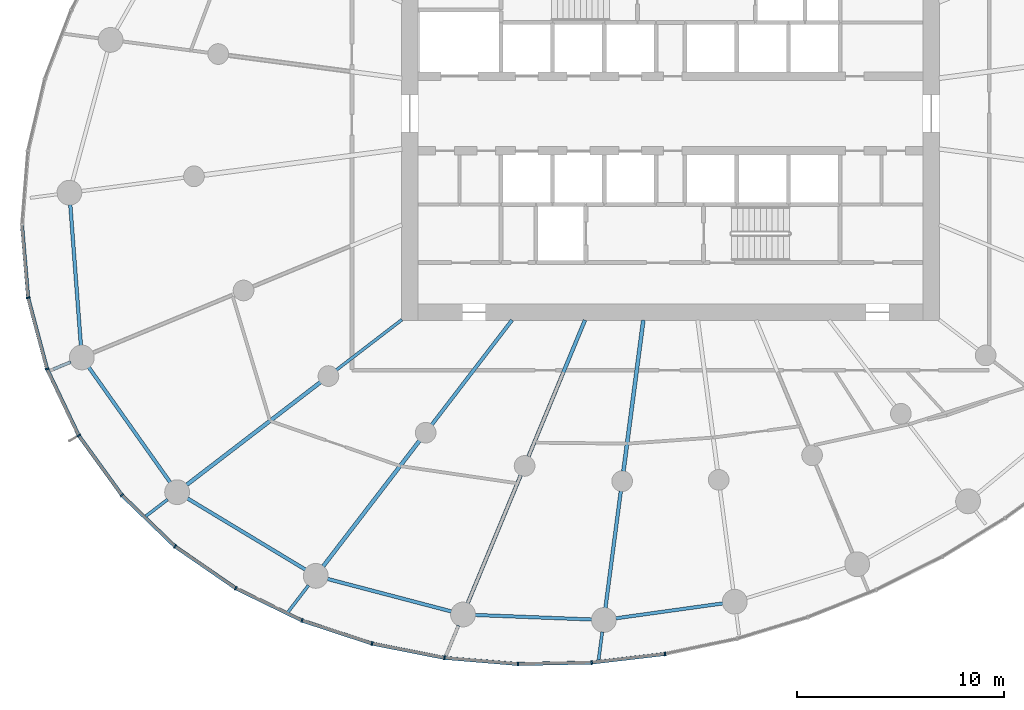
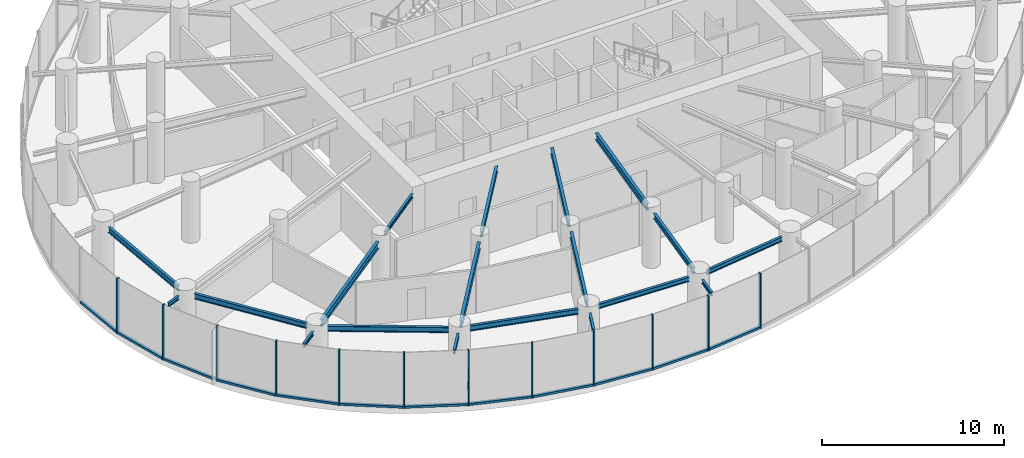
# One storey, part 2 of 17: 24 members, 19 beams, 3 elements without a shape of their own.
"""IFC4 building model written with IfcOpenShell, lengths in metres."""

from ifc_helpers import new_model, si_unit, direction, frame, origin, origin_2d, place, context, subcontext, project, spatial, rectangle, i_section, extrude, source, transform, mapped, material, layer, layer_set, material_profile, profile_set, type_object, element, aggregate, save


model = new_model("IFC4")

# Units and contexts
model_context = context("Model", 3, precision=1e-05, world=origin(), true_north=direction((0.0, 1.0)))
body_context = subcontext(model_context, "Body", "Model", "MODEL_VIEW")
ifc_project = project(units=[si_unit("LENGTHUNIT", "METRE"), si_unit("AREAUNIT", "SQUARE_METRE"), si_unit("VOLUMEUNIT", "CUBIC_METRE"), si_unit("PLANEANGLEUNIT", "RADIAN"), si_unit("MASSUNIT", "GRAM", prefix="KILO")], contexts=[model_context])

# Site, building, storey
site_placement = place(None, origin())
site = spatial("IfcSite", under=ifc_project, at=site_placement, CompositionType="ELEMENT")
building_placement = place(site_placement, origin())
building = spatial("IfcBuilding", under=site, at=building_placement, Name="Spindrift Exchange Tower", CompositionType="ELEMENT")
storey_placement = place(building_placement, frame((0.0, 0.0, 96.199951171875)))
storey = spatial("IfcBuildingStorey", under=building, at=storey_placement, Name="L22", CompositionType="ELEMENT", Elevation=96.199951171875)

# Beams
ifc_material_1 = material(Name="Steel Grade 300", Category="steel")
ifc_material_profile_1 = material_profile(ifc_material_1, i_section(OverallWidth=0.14599609375, OverallDepth=0.251953125, WebThickness=0.006103515625, FlangeThickness=0.008544921875, FilletRadius=0.011962890625, at=origin_2d()), Name="250UB31.4")
ifc_profile_set_1 = profile_set([ifc_material_profile_1], Name="Steel Grade 300")
beam_type_1 = type_object("IfcBeamType", Name="Floor Beam 250UB31.4 Steel Grade 300", PredefinedType="BEAM", material=ifc_profile_set_1)
shared_shape_1 = source(origin(), body_context, "Body", "SweptSolid", [
    extrude(i_section(OverallWidth=0.14599609375, OverallDepth=0.251953125, WebThickness=0.006103515625, FlangeThickness=0.008544921875, FilletRadius=0.011962890625, at=origin_2d()), origin(), (0.0, 0.0, 1.0), 3.99560546875),
])
beam_1_placement = place(storey_placement, frame((39.015869140625, 38.036865234375, 3.573974609375), z_axis=(-0.793352561574, -0.608762443851, 0.0), x_axis=(0.608762443851, -0.793352561574, 0.0)))
element("IfcBeam", 1, at=beam_1_placement, inside=storey, type_object=beam_type_1, Name="L22 radial beam R15A", PredefinedType="BEAM", context=body_context, shape_type="MappedRepresentation", body=[
    mapped(shared_shape_1, transform((0.0, 0.0, 0.0), scale=1.0)),
])
ifc_material_profile_2 = material_profile(ifc_material_1, i_section(OverallWidth=0.172119140625, OverallDepth=0.35888671875, WebThickness=0.008056640625, FlangeThickness=0.012939453125, FilletRadius=0.013916015625, at=origin_2d()), Name="360UB56.7")
ifc_profile_set_2 = profile_set([ifc_material_profile_2], Name="Steel Grade 300")
beam_type_2 = type_object("IfcBeamType", Name="Floor Beam 360UB56.7 Steel Grade 300", PredefinedType="BEAM", material=ifc_profile_set_2)
shared_shape_2 = source(origin(), body_context, "Body", "SweptSolid", [
    extrude(i_section(OverallWidth=0.172119140625, OverallDepth=0.35888671875, WebThickness=0.008056640625, FlangeThickness=0.012939453125, FilletRadius=0.013916015625, at=origin_2d()), origin(), (0.0, 0.0, 1.0), 6.37646484375),
])
beam_2_placement = place(storey_placement, frame((44.3388671875, 38.015869140625, 3.5205078125), z_axis=(-0.608766669952, -0.793349318747, 0.0), x_axis=(0.793349318747, -0.608766669952, 0.0)))
element("IfcBeam", 2, at=beam_2_placement, inside=storey, type_object=beam_type_2, Name="L22 radial beam R16A", PredefinedType="BEAM", context=body_context, shape_type="MappedRepresentation", body=[
    mapped(shared_shape_2, transform((0.0, 0.0, 0.0), scale=1.0)),
])
ifc_material_profile_3 = material_profile(ifc_material_1, i_section(OverallWidth=0.177978515625, OverallDepth=0.406005859375, WebThickness=0.0078125, FlangeThickness=0.0126953125, FilletRadius=0.013916015625, at=origin_2d()), Name="410UB59.7")
ifc_profile_set_3 = profile_set([ifc_material_profile_3], Name="Steel Grade 300")
beam_type_3 = type_object("IfcBeamType", Name="Floor Beam 410UB59.7 Steel Grade 300", PredefinedType="BEAM", material=ifc_profile_set_3)
shared_shape_3 = source(origin(), body_context, "Body", "SweptSolid", [
    extrude(i_section(OverallWidth=0.177978515625, OverallDepth=0.406005859375, WebThickness=0.0078125, FlangeThickness=0.0126953125, FilletRadius=0.013916015625, at=origin_2d()), origin(), (0.0, 0.0, 1.0), 7.150634765625),
])
beam_3_placement = place(storey_placement, frame((47.865478515625, 38.0185546875, 3.4970703125), z_axis=(-0.382665393358, -0.923887004306, 0.0), x_axis=(0.923887004306, -0.382665393358, 0.0)))
element("IfcBeam", 3, at=beam_3_placement, inside=storey, type_object=beam_type_3, Name="L22 radial beam R17A", PredefinedType="BEAM", context=body_context, shape_type="MappedRepresentation", body=[
    mapped(shared_shape_3, transform((0.0, 0.0, 0.0), scale=1.0)),
])
ifc_material_profile_4 = material_profile(ifc_material_1, i_section(OverallWidth=0.18994140625, OverallDepth=0.45703125, WebThickness=0.009033203125, FlangeThickness=0.014404296875, FilletRadius=0.013916015625, at=origin_2d()), Name="460UB74.6")
ifc_profile_set_4 = profile_set([ifc_material_profile_4], Name="Steel Grade 300")
beam_type_4 = type_object("IfcBeamType", Name="Floor Beam 460UB74.6 Steel Grade 300", PredefinedType="BEAM", material=ifc_profile_set_4)
shared_shape_4 = source(origin(), body_context, "Body", "SweptSolid", [
    extrude(i_section(OverallWidth=0.18994140625, OverallDepth=0.45703125, WebThickness=0.009033203125, FlangeThickness=0.014404296875, FilletRadius=0.013916015625, at=origin_2d()), origin(), (0.0, 0.0, 1.0), 7.374267578125),
])
beam_4_placement = place(storey_placement, frame((50.68603515625, 38.019775390625, 3.471435546875), z_axis=(-0.130539295622, -0.99144313619, 0.0), x_axis=(0.99144313619, -0.130539295622, 0.0)))
element("IfcBeam", 4, at=beam_4_placement, inside=storey, type_object=beam_type_4, Name="L22 radial beam R18A", PredefinedType="BEAM", context=body_context, shape_type="MappedRepresentation", body=[
    mapped(shared_shape_4, transform((0.0, 0.0, 0.0), scale=1.0)),
])
shared_shape_5 = source(origin(), body_context, "Body", "SweptSolid", [
    extrude(i_section(OverallWidth=0.18994140625, OverallDepth=0.45703125, WebThickness=0.009033203125, FlangeThickness=0.014404296875, FilletRadius=0.013916015625, at=origin_2d()), origin(), (0.0, 0.0, 1.0), 8.158447265625),
])
beam_5_placement = place(storey_placement, frame((35.08447265625, 35.020263671875, 3.471435546875), z_axis=(-0.793358732539, -0.608754401631, 0.0), x_axis=(0.608754401631, -0.793358732539, 0.0)))
element("IfcBeam", 5, at=beam_5_placement, inside=storey, type_object=beam_type_4, Name="L22 radial beam R15B", PredefinedType="BEAM", context=body_context, shape_type="MappedRepresentation", body=[
    mapped(shared_shape_5, transform((0.0, 0.0, 0.0), scale=1.0)),
])
shared_shape_6 = source(origin(), body_context, "Body", "SweptSolid", [
    extrude(i_section(OverallWidth=0.18994140625, OverallDepth=0.45703125, WebThickness=0.009033203125, FlangeThickness=0.014404296875, FilletRadius=0.013916015625, at=origin_2d()), origin(), (0.0, 0.0, 1.0), 7.663818359375),
])
beam_6_placement = place(storey_placement, frame((39.872802734375, 32.1953125, 3.471435546875), z_axis=(-0.608771227503, -0.793345821546, 0.0), x_axis=(0.793345821546, -0.608771227503, 0.0)))
element("IfcBeam", 6, at=beam_6_placement, inside=storey, type_object=beam_type_4, Name="L22 radial beam R16B", PredefinedType="BEAM", context=body_context, shape_type="MappedRepresentation", body=[
    mapped(shared_shape_6, transform((0.0, 0.0, 0.0), scale=1.0)),
])
shared_shape_7 = source(origin(), body_context, "Body", "SweptSolid", [
    extrude(i_section(OverallWidth=0.177978515625, OverallDepth=0.406005859375, WebThickness=0.0078125, FlangeThickness=0.0126953125, FilletRadius=0.013916015625, at=origin_2d()), origin(), (0.0, 0.0, 1.0), 6.71240234375),
])
beam_7_placement = place(storey_placement, frame((44.76171875, 30.525146484375, 3.4970703125), z_axis=(-0.382669812754, -0.923885173821, 0.0), x_axis=(0.923885173821, -0.382669812754, 0.0)))
element("IfcBeam", 7, at=beam_7_placement, inside=storey, type_object=beam_type_3, Name="L22 radial beam R17B", PredefinedType="BEAM", context=body_context, shape_type="MappedRepresentation", body=[
    mapped(shared_shape_7, transform((0.0, 0.0, 0.0), scale=1.0)),
])
shared_shape_8 = source(origin(), body_context, "Body", "SweptSolid", [
    extrude(i_section(OverallWidth=0.172119140625, OverallDepth=0.35888671875, WebThickness=0.008056640625, FlangeThickness=0.012939453125, FilletRadius=0.013916015625, at=origin_2d()), origin(), (0.0, 0.0, 1.0), 5.70751953125),
])
beam_8_placement = place(storey_placement, frame((49.59814453125, 29.7568359375, 3.5205078125), z_axis=(-0.130507624881, -0.991447305634, 0.0), x_axis=(0.991447305634, -0.130507624881, 0.0)))
element("IfcBeam", 8, at=beam_8_placement, inside=storey, type_object=beam_type_2, Name="L22 radial beam R18B", PredefinedType="BEAM", context=body_context, shape_type="MappedRepresentation", body=[
    mapped(shared_shape_8, transform((0.0, 0.0, 0.0), scale=1.0)),
])
ifc_material_profile_5 = material_profile(ifc_material_1, i_section(OverallWidth=0.172119140625, OverallDepth=0.35888671875, WebThickness=0.008056640625, FlangeThickness=0.012939453125, FilletRadius=0.013916015625, at=origin_2d()), Name="360UB56.7")
ifc_profile_set_5 = profile_set([ifc_material_profile_5], Name="Steel Grade 300")
beam_type_5 = type_object("IfcBeamType", Name="Edge Beam 360UB56.7 Steel Grade 300", PredefinedType="SPANDREL", material=ifc_profile_set_5)
shared_shape_9 = source(origin(), body_context, "Body", "SweptSolid", [
    extrude(i_section(OverallWidth=0.172119140625, OverallDepth=0.35888671875, WebThickness=0.008056640625, FlangeThickness=0.012939453125, FilletRadius=0.013916015625, at=origin_2d()), origin(), (0.0, 0.0, 1.0), 6.82373046875),
])
beam_9_placement = place(storey_placement, frame((22.9873046875, 43.59619140625, 3.5205078125), z_axis=(0.075276463877, -0.997162701863, 0.0), x_axis=(0.997162701863, 0.075276463877, 0.0)))
element("IfcBeam", 9, at=beam_9_placement, inside=storey, type_object=beam_type_5, Name="L22 edge beam E13", PredefinedType="SPANDREL", context=body_context, shape_type="MappedRepresentation", body=[
    mapped(shared_shape_9, transform((0.0, 0.0, 0.0), scale=1.0)),
])
shared_shape_10 = source(origin(), body_context, "Body", "SweptSolid", [
    extrude(i_section(OverallWidth=0.172119140625, OverallDepth=0.35888671875, WebThickness=0.008056640625, FlangeThickness=0.012939453125, FilletRadius=0.013916015625, at=origin_2d()), origin(), (0.0, 0.0, 1.0), 6.81787109375),
])
beam_10_placement = place(storey_placement, frame((23.87939453125, 35.739990234375, 3.5205078125), z_axis=(0.577526426198, -0.816371990604, 0.0), x_axis=(0.816371990604, 0.577526426198, 0.0)))
element("IfcBeam", 10, at=beam_10_placement, inside=storey, type_object=beam_type_5, Name="L22 edge beam E14", PredefinedType="SPANDREL", context=body_context, shape_type="MappedRepresentation", body=[
    mapped(shared_shape_10, transform((0.0, 0.0, 0.0), scale=1.0)),
])
shared_shape_11 = source(origin(), body_context, "Body", "SweptSolid", [
    extrude(i_section(OverallWidth=0.172119140625, OverallDepth=0.35888671875, WebThickness=0.008056640625, FlangeThickness=0.012939453125, FilletRadius=0.013916015625, at=origin_2d()), origin(), (0.0, 0.0, 1.0), 6.668701171875),
])
beam_11_placement = place(storey_placement, frame((28.6484375, 29.40087890625, 3.5205078125), z_axis=(0.856133207479, -0.516755194508, 0.0), x_axis=(0.516755194508, 0.856133207479, 0.0)))
element("IfcBeam", 11, at=beam_11_placement, inside=storey, type_object=beam_type_5, Name="L22 edge beam E15", PredefinedType="SPANDREL", context=body_context, shape_type="MappedRepresentation", body=[
    mapped(shared_shape_11, transform((0.0, 0.0, 0.0), scale=1.0)),
])
shared_shape_12 = source(origin(), body_context, "Body", "SweptSolid", [
    extrude(i_section(OverallWidth=0.172119140625, OverallDepth=0.35888671875, WebThickness=0.008056640625, FlangeThickness=0.012939453125, FilletRadius=0.013916015625, at=origin_2d()), origin(), (0.0, 0.0, 1.0), 6.197509765625),
])
beam_12_placement = place(storey_placement, frame((35.415283203125, 25.508056640625, 3.5205078125), z_axis=(0.967254420813, -0.253808757567, 0.0), x_axis=(0.253808757567, 0.967254420813, 0.0)))
element("IfcBeam", 12, at=beam_12_placement, inside=storey, type_object=beam_type_5, Name="L22 edge beam E16", PredefinedType="SPANDREL", context=body_context, shape_type="MappedRepresentation", body=[
    mapped(shared_shape_12, transform((0.0, 0.0, 0.0), scale=1.0)),
])
ifc_material_profile_6 = material_profile(ifc_material_1, i_section(OverallWidth=0.1650390625, OverallDepth=0.303955078125, WebThickness=0.006103515625, FlangeThickness=0.01025390625, FilletRadius=0.011474609375, at=origin_2d()), Name="310UB40.4")
ifc_profile_set_6 = profile_set([ifc_material_profile_6], Name="Steel Grade 300")
beam_type_6 = type_object("IfcBeamType", Name="Edge Beam 310UB40.4 Steel Grade 300", PredefinedType="SPANDREL", material=ifc_profile_set_6)
shared_shape_13 = source(origin(), body_context, "Body", "SweptSolid", [
    extrude(i_section(OverallWidth=0.1650390625, OverallDepth=0.303955078125, WebThickness=0.006103515625, FlangeThickness=0.01025390625, FilletRadius=0.011474609375, at=origin_2d()), origin(), (0.0, 0.0, 1.0), 5.65185546875),
])
beam_13_placement = place(storey_placement, frame((42.550537109375, 23.765380859375, 3.548095703125), z_axis=(0.99924397539, -0.038877726865, 0.0), x_axis=(0.038877726865, 0.99924397539, 0.0)))
element("IfcBeam", 13, at=beam_13_placement, inside=storey, type_object=beam_type_6, Name="L22 edge beam E17", PredefinedType="SPANDREL", context=body_context, shape_type="MappedRepresentation", body=[
    mapped(shared_shape_13, transform((0.0, 0.0, 0.0), scale=1.0)),
])
shared_shape_14 = source(origin(), body_context, "Body", "SweptSolid", [
    extrude(i_section(OverallWidth=0.1650390625, OverallDepth=0.303955078125, WebThickness=0.006103515625, FlangeThickness=0.01025390625, FilletRadius=0.011474609375, at=origin_2d()), origin(), (0.0, 0.0, 1.0), 5.22998046875),
])
beam_14_placement = place(storey_placement, frame((49.35205078125, 23.603271484375, 3.548095703125), z_axis=(0.990440078597, 0.137943650481, 0.0), x_axis=(-0.137943650481, 0.990440078597, 0.0)))
element("IfcBeam", 14, at=beam_14_placement, inside=storey, type_object=beam_type_6, Name="L22 edge beam E18", PredefinedType="SPANDREL", context=body_context, shape_type="MappedRepresentation", body=[
    mapped(shared_shape_14, transform((0.0, 0.0, 0.0), scale=1.0)),
])
ifc_material_profile_7 = material_profile(ifc_material_1, i_section(OverallWidth=0.14599609375, OverallDepth=0.251953125, WebThickness=0.006103515625, FlangeThickness=0.008544921875, FilletRadius=0.011962890625, at=origin_2d()), Name="250UB31.4")
ifc_profile_set_7 = profile_set([ifc_material_profile_7], Name="Steel Grade 300")
beam_type_7 = type_object("IfcBeamType", Name="Cantilever Beam 250UB31.4 Steel Grade 300", PredefinedType="BEAM", material=ifc_profile_set_7)
shared_shape_15 = source(origin(), body_context, "Body", "SweptSolid", [
    extrude(i_section(OverallWidth=0.14599609375, OverallDepth=0.251953125, WebThickness=0.006103515625, FlangeThickness=0.008544921875, FilletRadius=0.011962890625, at=origin_2d()), origin(), (0.0, 0.0, 1.0), 0.9267578125),
])
beam_15_placement = place(storey_placement, frame((23.0087890625, 35.991455078125, 3.573974609375), z_axis=(-0.923846648553, -0.382762811619, 0.0), x_axis=(0.382762811619, -0.923846648553, 0.0)))
element("IfcBeam", 15, at=beam_15_placement, inside=storey, type_object=beam_type_7, Name="L22 cantilever beam R14T", PredefinedType="BEAM", context=body_context, shape_type="MappedRepresentation", body=[
    mapped(shared_shape_15, transform((0.0, 0.0, 0.0), scale=1.0)),
])
shared_shape_16 = source(origin(), body_context, "Body", "SweptSolid", [
    extrude(i_section(OverallWidth=0.14599609375, OverallDepth=0.251953125, WebThickness=0.006103515625, FlangeThickness=0.008544921875, FilletRadius=0.011962890625, at=origin_2d()), origin(), (0.0, 0.0, 1.0), 1.33740234375),
])
beam_16_placement = place(storey_placement, frame((27.691650390625, 29.347412109375, 3.573974609375), z_axis=(-0.793424144756, -0.608669143722, 0.0), x_axis=(0.608669143722, -0.793424144756, 0.0)))
element("IfcBeam", 16, at=beam_16_placement, inside=storey, type_object=beam_type_7, Name="L22 cantilever beam R15T", PredefinedType="BEAM", context=body_context, shape_type="MappedRepresentation", body=[
    mapped(shared_shape_16, transform((0.0, 0.0, 0.0), scale=1.0)),
])
shared_shape_17 = source(origin(), body_context, "Body", "SweptSolid", [
    extrude(i_section(OverallWidth=0.14599609375, OverallDepth=0.251953125, WebThickness=0.006103515625, FlangeThickness=0.008544921875, FilletRadius=0.011962890625, at=origin_2d()), origin(), (0.0, 0.0, 1.0), 1.67724609375),
])
beam_17_placement = place(storey_placement, frame((34.501220703125, 25.195068359375, 3.573974609375), z_axis=(-0.608767651561, -0.79334856552, 0.0), x_axis=(0.79334856552, -0.608767651561, 0.0)))
element("IfcBeam", 17, at=beam_17_placement, inside=storey, type_object=beam_type_7, Name="L22 cantilever beam R16T", PredefinedType="BEAM", context=body_context, shape_type="MappedRepresentation", body=[
    mapped(shared_shape_17, transform((0.0, 0.0, 0.0), scale=1.0)),
])
shared_shape_18 = source(origin(), body_context, "Body", "SweptSolid", [
    extrude(i_section(OverallWidth=0.14599609375, OverallDepth=0.251953125, WebThickness=0.006103515625, FlangeThickness=0.008544921875, FilletRadius=0.011962890625, at=origin_2d()), origin(), (0.0, 0.0, 1.0), 1.62890625),
])
beam_18_placement = place(storey_placement, frame((41.7490234375, 23.251953125, 3.573974609375), z_axis=(-0.382656259044, -0.923890787601, 0.0), x_axis=(0.923890787601, -0.382656259044, 0.0)))
element("IfcBeam", 18, at=beam_18_placement, inside=storey, type_object=beam_type_7, Name="L22 cantilever beam R17T", PredefinedType="BEAM", context=body_context, shape_type="MappedRepresentation", body=[
    mapped(shared_shape_18, transform((0.0, 0.0, 0.0), scale=1.0)),
])
shared_shape_19 = source(origin(), body_context, "Body", "SweptSolid", [
    extrude(i_section(OverallWidth=0.14599609375, OverallDepth=0.251953125, WebThickness=0.006103515625, FlangeThickness=0.008544921875, FilletRadius=0.011962890625, at=origin_2d()), origin(), (0.0, 0.0, 1.0), 1.366943359375),
])
beam_19_placement = place(storey_placement, frame((48.701904296875, 22.9482421875, 3.573974609375), z_axis=(-0.130560775534, -0.991440307781, 0.0), x_axis=(0.991440307781, -0.130560775534, 0.0)))
element("IfcBeam", 19, at=beam_19_placement, inside=storey, type_object=beam_type_7, Name="L22 cantilever beam R18T", PredefinedType="BEAM", context=body_context, shape_type="MappedRepresentation", body=[
    mapped(shared_shape_19, transform((0.0, 0.0, 0.0), scale=1.0)),
])

# Curtain wall, members
ifc_material_2 = material(Name="Fritted laminated glass with bronze frame", Category="glass")
ifc_layer = layer(ifc_material_2, 0.18994140625)
ifc_layer_set = layer_set([ifc_layer], Name="ZONE 2 BRONZE FRITTED WALL")
curtain_wall_type = type_object("IfcCurtainWallType", Name="ZONE 2 BRONZE FRITTED WALL", PredefinedType="NOTDEFINED", material=ifc_layer_set)
curtain_wall_1_placement = place(storey_placement, origin())
curtain_wall_1 = element("IfcCurtainWall", 20, at=curtain_wall_1_placement, inside=storey, type_object=curtain_wall_type, Name="L22 Zone 2 Bronze Fritted Wall run 5", PredefinedType="NOTDEFINED")
ifc_material_3 = material(Name="Bronze anodised aluminium", Category="aluminium")
ifc_material_profile_8 = material_profile(ifc_material_3, rectangle(XDim=0.074951171875, YDim=0.18994140625, at=origin_2d()), Name="ZONE 2 BRONZE FRITTED WALL MULLION 75X190")
ifc_profile_set_8 = profile_set([ifc_material_profile_8], Name="Bronze anodised aluminium")
member_type_1 = type_object("IfcMemberType", Name="ZONE 2 BRONZE FRITTED WALL MULLION 75X190", PredefinedType="MULLION", material=ifc_profile_set_8)
shared_shape_20 = source(origin(), body_context, "Body", "SweptSolid", [
    extrude(rectangle(XDim=0.074951171875, YDim=0.18994140625, at=origin_2d()), origin(), (0.0, 0.0, 1.0), 3.699951171875),
])
member_1_placement = place(storey_placement, frame((20.94970703125, 39.10009765625, 0.0), z_axis=(0.0, 0.0, 1.0), x_axis=(0.171068960875, -0.985259057621, 0.0)))
member_1 = element("IfcMember", 21, at=member_1_placement, type_object=member_type_1, Name="L22 mullion CW-2.25", PredefinedType="MULLION", context=body_context, shape_type="MappedRepresentation", body=[
    mapped(shared_shape_20, transform((0.0, 0.0, 0.0), scale=1.0)),
])
member_2_placement = place(storey_placement, frame((21.865966796875, 35.656982421875, 0.0), z_axis=(0.0, 0.0, 1.0), x_axis=(0.344584162066, -0.938755428881, 0.0)))
member_2 = element("IfcMember", 22, at=member_2_placement, type_object=member_type_1, Name="L22 mullion CW-2.26", PredefinedType="MULLION", context=body_context, shape_type="MappedRepresentation", body=[
    mapped(shared_shape_20, transform((0.0, 0.0, 0.0), scale=1.0)),
])
member_3_placement = place(storey_placement, frame((23.394775390625, 32.439208984375, 0.0), z_axis=(0.0, 0.0, 1.0), x_axis=(0.509988538895, -0.860181196142, 0.0)))
member_3 = element("IfcMember", 23, at=member_3_placement, type_object=member_type_1, Name="L22 mullion CW-2.27", PredefinedType="MULLION", context=body_context, shape_type="MappedRepresentation", body=[
    mapped(shared_shape_20, transform((0.0, 0.0, 0.0), scale=1.0)),
])
member_4_placement = place(storey_placement, frame((25.484619140625, 29.5537109375, 0.0), z_axis=(0.0, 0.0, 1.0), x_axis=(0.655653451617, -0.755061952017, 0.0)))
member_4 = element("IfcMember", 24, at=member_4_placement, type_object=member_type_1, Name="L22 mullion CW-2.28", PredefinedType="MULLION", context=body_context, shape_type="MappedRepresentation", body=[
    mapped(shared_shape_20, transform((0.0, 0.0, 0.0), scale=1.0)),
])
member_5_placement = place(storey_placement, frame((28.048828125, 27.079345703125, 0.0), z_axis=(0.0, 0.0, 1.0), x_axis=(0.774154498233, -0.632996692619, 0.0)))
member_5 = element("IfcMember", 25, at=member_5_placement, type_object=member_type_1, Name="L22 mullion CW-2.29", PredefinedType="MULLION", context=body_context, shape_type="MappedRepresentation", body=[
    mapped(shared_shape_20, transform((0.0, 0.0, 0.0), scale=1.0)),
])
member_6_placement = place(storey_placement, frame((30.98388671875, 25.05712890625, 0.0), z_axis=(0.0, 0.0, 1.0), x_axis=(0.863649128542, -0.504093426627, 0.0)))
member_6 = element("IfcMember", 26, at=member_6_placement, type_object=member_type_1, Name="L22 mullion CW-2.30", PredefinedType="MULLION", context=body_context, shape_type="MappedRepresentation", body=[
    mapped(shared_shape_20, transform((0.0, 0.0, 0.0), scale=1.0)),
])

curtain_wall_2_placement = place(storey_placement, origin())
curtain_wall_2 = element("IfcCurtainWall", 27, at=curtain_wall_2_placement, inside=storey, type_object=curtain_wall_type, Name="L22 Zone 2 Bronze Fritted Wall run 6", PredefinedType="NOTDEFINED")
member_7_placement = place(storey_placement, frame((34.1884765625, 23.495849609375, 0.0), z_axis=(0.0, 0.0, 1.0), x_axis=(0.926590054563, -0.376072959391, 0.0)))
member_7 = element("IfcMember", 28, at=member_7_placement, type_object=member_type_1, Name="L22 mullion CW-2.31", PredefinedType="MULLION", context=body_context, shape_type="MappedRepresentation", body=[
    mapped(shared_shape_20, transform((0.0, 0.0, 0.0), scale=1.0)),
])
member_8_placement = place(storey_placement, frame((37.5751953125, 22.382080078125, 0.0), z_axis=(0.0, 0.0, 1.0), x_axis=(0.967330348502, -0.253519223862, 0.0)))
member_8 = element("IfcMember", 29, at=member_8_placement, type_object=member_type_1, Name="L22 mullion CW-2.32", PredefinedType="MULLION", context=body_context, shape_type="MappedRepresentation", body=[
    mapped(shared_shape_20, transform((0.0, 0.0, 0.0), scale=1.0)),
])
member_9_placement = place(storey_placement, frame((41.073486328125, 21.69140625, 0.0), z_axis=(0.0, 0.0, 1.0), x_axis=(0.990360077217, -0.138516848994, 0.0)))
member_9 = element("IfcMember", 30, at=member_9_placement, type_object=member_type_1, Name="L22 mullion CW-2.33", PredefinedType="MULLION", context=body_context, shape_type="MappedRepresentation", body=[
    mapped(shared_shape_20, transform((0.0, 0.0, 0.0), scale=1.0)),
])
member_10_placement = place(storey_placement, frame((44.627197265625, 21.395751953125, 0.0), z_axis=(0.0, 0.0, 1.0), x_axis=(0.999505305601, -0.031450660986, 0.0)))
member_10 = element("IfcMember", 31, at=member_10_placement, type_object=member_type_1, Name="L22 mullion CW-2.34", PredefinedType="MULLION", context=body_context, shape_type="MappedRepresentation", body=[
    mapped(shared_shape_20, transform((0.0, 0.0, 0.0), scale=1.0)),
])
member_11_placement = place(storey_placement, frame((48.19287109375, 21.46728515625, 0.0), z_axis=(0.0, 0.0, 1.0), x_axis=(0.997673525903, 0.068172837057, 0.0)))
member_11 = element("IfcMember", 32, at=member_11_placement, type_object=member_type_1, Name="L22 mullion CW-2.35", PredefinedType="MULLION", context=body_context, shape_type="MappedRepresentation", body=[
    mapped(shared_shape_20, transform((0.0, 0.0, 0.0), scale=1.0)),
])
member_12_placement = place(storey_placement, frame((51.735107421875, 21.88134765625, 0.0), z_axis=(0.0, 0.0, 1.0), x_axis=(0.986922933632, 0.161192813338, 0.0)))
member_12 = element("IfcMember", 33, at=member_12_placement, type_object=member_type_1, Name="L22 mullion CW-2.36", PredefinedType="MULLION", context=body_context, shape_type="MappedRepresentation", body=[
    mapped(shared_shape_20, transform((0.0, 0.0, 0.0), scale=1.0)),
])
ifc_material_profile_9 = material_profile(ifc_material_3, rectangle(XDim=0.169921875, YDim=0.139892578125, at=origin_2d()), Name="ZONE 2 BRONZE FRITTED WALL TRANSOM 170X140")
ifc_profile_set_9 = profile_set([ifc_material_profile_9], Name="Bronze anodised aluminium")
member_type_2 = type_object("IfcMemberType", Name="ZONE 2 BRONZE FRITTED WALL TRANSOM 170X140", PredefinedType="USERDEFINED", material=ifc_profile_set_9)
shared_shape_21 = source(origin(), body_context, "Body", "SweptSolid", [
    extrude(rectangle(XDim=0.169921875, YDim=0.139892578125, at=origin_2d()), origin(), (0.0, 0.0, 1.0), 3.4912109375),
])
member_13_placement = place(storey_placement, frame((44.664794921875, 21.396484375, 0.070068359375), z_axis=(0.999798575297, 0.020070098, 0.0), x_axis=(-0.020070098, 0.999798575297, 0.0)))
member_13 = element("IfcMember", 34, at=member_13_placement, type_object=member_type_2, Name="L22 transom CW-2.34", ObjectType="TRANSOM", PredefinedType="USERDEFINED", context=body_context, shape_type="MappedRepresentation", body=[
    mapped(shared_shape_21, transform((0.0, 0.0, 0.0), scale=1.0)),
])

# Member
shared_shape_22 = source(origin(), body_context, "Body", "SweptSolid", [
    extrude(rectangle(XDim=0.169921875, YDim=0.139892578125, at=origin_2d()), origin(), (0.0, 0.0, 1.0), 3.48779296875),
])
member_14_placement = place(storey_placement, frame((21.882080078125, 35.623291015625, 0.070068359375), z_axis=(0.429091081778, -0.903261226633, 0.0), x_axis=(0.903261226633, 0.429091081778, 0.0)))
member_14 = element("IfcMember", 35, at=member_14_placement, type_object=member_type_2, Name="L22 transom CW-2.26", ObjectType="TRANSOM", PredefinedType="USERDEFINED", context=body_context, shape_type="MappedRepresentation", body=[
    mapped(shared_shape_22, transform((0.0, 0.0, 0.0), scale=1.0)),
])

member_15_placement = place(storey_placement, frame((23.416748046875, 32.40869140625, 0.070068359375), z_axis=(0.586588981029, -0.809884786457, 0.0), x_axis=(0.809884786457, 0.586588981029, 0.0)))
member_15 = element("IfcMember", 36, at=member_15_placement, type_object=member_type_2, Name="L22 transom CW-2.27", ObjectType="TRANSOM", PredefinedType="USERDEFINED", context=body_context, shape_type="MappedRepresentation", body=[
    mapped(shared_shape_22, transform((0.0, 0.0, 0.0), scale=1.0)),
])

shared_shape_23 = source(origin(), body_context, "Body", "SweptSolid", [
    extrude(rectangle(XDim=0.169921875, YDim=0.139892578125, at=origin_2d()), origin(), (0.0, 0.0, 1.0), 3.49072265625),
])
member_16_placement = place(storey_placement, frame((37.612060546875, 22.374755859375, 0.070068359375), z_axis=(0.981067209524, -0.193667577042, 0.0), x_axis=(0.193667577042, 0.981067209524, 0.0)))
member_16 = element("IfcMember", 37, at=member_16_placement, type_object=member_type_2, Name="L22 transom CW-2.32", ObjectType="TRANSOM", PredefinedType="USERDEFINED", context=body_context, shape_type="MappedRepresentation", body=[
    mapped(shared_shape_23, transform((0.0, 0.0, 0.0), scale=1.0)),
])

shared_shape_24 = source(origin(), body_context, "Body", "SweptSolid", [
    extrude(rectangle(XDim=0.169921875, YDim=0.139892578125, at=origin_2d()), origin(), (0.0, 0.0, 1.0), 3.491455078125),
])
member_17_placement = place(storey_placement, frame((48.22998046875, 21.4716796875, 0.070068359375), z_axis=(0.993240046818, 0.116078462244, 0.0), x_axis=(-0.116078462244, 0.993240046818, 0.0)))
member_17 = element("IfcMember", 38, at=member_17_placement, type_object=member_type_2, Name="L22 transom CW-2.35", ObjectType="TRANSOM", PredefinedType="USERDEFINED", context=body_context, shape_type="MappedRepresentation", body=[
    mapped(shared_shape_24, transform((0.0, 0.0, 0.0), scale=1.0)),
])

shared_shape_25 = source(origin(), body_context, "Body", "SweptSolid", [
    extrude(rectangle(XDim=0.169921875, YDim=0.139892578125, at=origin_2d()), origin(), (0.0, 0.0, 1.0), 3.490966796875),
])
member_18_placement = place(storey_placement, frame((41.11083984375, 21.688232421875, 0.070068359375), z_axis=(0.996560212233, -0.082871849228, 0.0), x_axis=(0.082871849228, 0.996560212233, 0.0)))
member_18 = element("IfcMember", 39, at=member_18_placement, type_object=member_type_2, Name="L22 transom CW-2.33", ObjectType="TRANSOM", PredefinedType="USERDEFINED", context=body_context, shape_type="MappedRepresentation", body=[
    mapped(shared_shape_25, transform((0.0, 0.0, 0.0), scale=1.0)),
])

shared_shape_26 = source(origin(), body_context, "Body", "SweptSolid", [
    extrude(rectangle(XDim=0.169921875, YDim=0.139892578125, at=origin_2d()), origin(), (0.0, 0.0, 1.0), 3.490234375),
])
member_19_placement = place(storey_placement, frame((34.22412109375, 23.484130859375, 0.070068359375), z_axis=(0.949955563269, -0.312385063365, 0.0), x_axis=(0.312385063365, 0.949955563269, 0.0)))
member_19 = element("IfcMember", 40, at=member_19_placement, type_object=member_type_2, Name="L22 transom CW-2.31", ObjectType="TRANSOM", PredefinedType="USERDEFINED", context=body_context, shape_type="MappedRepresentation", body=[
    mapped(shared_shape_26, transform((0.0, 0.0, 0.0), scale=1.0)),
])

aggregate(curtain_wall_2, [member_7, member_19, member_8, member_16, member_9, member_18, member_10, member_13, member_11, member_17, member_12])

shared_shape_27 = source(origin(), body_context, "Body", "SweptSolid", [
    extrude(rectangle(XDim=0.169921875, YDim=0.139892578125, at=origin_2d()), origin(), (0.0, 0.0, 1.0), 3.4892578125),
])
member_20_placement = place(storey_placement, frame((28.079833984375, 27.05810546875, 0.070068359375), z_axis=(0.8234596558, -0.567374827843, 0.0), x_axis=(0.567374827843, 0.8234596558, 0.0)))
member_20 = element("IfcMember", 41, at=member_20_placement, type_object=member_type_2, Name="L22 transom CW-2.29", ObjectType="TRANSOM", PredefinedType="USERDEFINED", context=body_context, shape_type="MappedRepresentation", body=[
    mapped(shared_shape_27, transform((0.0, 0.0, 0.0), scale=1.0)),
])

# Curtain wall, member
curtain_wall_3_placement = place(storey_placement, origin())
curtain_wall_3 = element("IfcCurtainWall", 42, at=curtain_wall_3_placement, inside=storey, type_object=curtain_wall_type, Name="L22 Zone 2 Bronze Fritted Wall run 4", PredefinedType="NOTDEFINED")
shared_shape_28 = source(origin(), body_context, "Body", "SweptSolid", [
    extrude(rectangle(XDim=0.169921875, YDim=0.139892578125, at=origin_2d()), origin(), (0.0, 0.0, 1.0), 3.488525390625),
])
member_21_placement = place(storey_placement, frame((20.65478515625, 42.61376953125, 0.070068359375), z_axis=(0.083630432124, -0.996496839344, 0.0), x_axis=(0.996496839344, 0.083630432124, 0.0)))
member_21 = element("IfcMember", 43, at=member_21_placement, type_object=member_type_2, Name="L22 transom CW-2.24", ObjectType="TRANSOM", PredefinedType="USERDEFINED", context=body_context, shape_type="MappedRepresentation", body=[
    mapped(shared_shape_28, transform((0.0, 0.0, 0.0), scale=1.0)),
])
aggregate(curtain_wall_3, [member_21])

# Member
member_22_placement = place(storey_placement, frame((25.51171875, 29.527587890625, 0.070068359375), z_axis=(0.719591966663, -0.694397149702, 0.0), x_axis=(0.694397149702, 0.719591966663, 0.0)))
member_22 = element("IfcMember", 44, at=member_22_placement, type_object=member_type_2, Name="L22 transom CW-2.28", ObjectType="TRANSOM", PredefinedType="USERDEFINED", context=body_context, shape_type="MappedRepresentation", body=[
    mapped(shared_shape_28, transform((0.0, 0.0, 0.0), scale=1.0)),
])

shared_shape_29 = source(origin(), body_context, "Body", "SweptSolid", [
    extrude(rectangle(XDim=0.169921875, YDim=0.139892578125, at=origin_2d()), origin(), (0.0, 0.0, 1.0), 3.488037109375),
])
member_23_placement = place(storey_placement, frame((20.959228515625, 39.06396484375, 0.070068359375), z_axis=(0.257231328397, -0.966349855741, 0.0), x_axis=(0.966349855741, 0.257231328397, 0.0)))
member_23 = element("IfcMember", 45, at=member_23_placement, type_object=member_type_2, Name="L22 transom CW-2.25", ObjectType="TRANSOM", PredefinedType="USERDEFINED", context=body_context, shape_type="MappedRepresentation", body=[
    mapped(shared_shape_29, transform((0.0, 0.0, 0.0), scale=1.0)),
])

shared_shape_30 = source(origin(), body_context, "Body", "SweptSolid", [
    extrude(rectangle(XDim=0.169921875, YDim=0.139892578125, at=origin_2d()), origin(), (0.0, 0.0, 1.0), 3.48974609375),
])
member_24_placement = place(storey_placement, frame((31.017578125, 25.040771484375, 0.070068359375), z_axis=(0.898969385789, -0.438011464936, 0.0), x_axis=(0.438011464936, 0.898969385789, 0.0)))
member_24 = element("IfcMember", 46, at=member_24_placement, type_object=member_type_2, Name="L22 transom CW-2.30", ObjectType="TRANSOM", PredefinedType="USERDEFINED", context=body_context, shape_type="MappedRepresentation", body=[
    mapped(shared_shape_30, transform((0.0, 0.0, 0.0), scale=1.0)),
])

aggregate(curtain_wall_1, [member_1, member_23, member_2, member_14, member_3, member_15, member_4, member_22, member_5, member_20, member_6, member_24])

save(model, "model.ifc")
